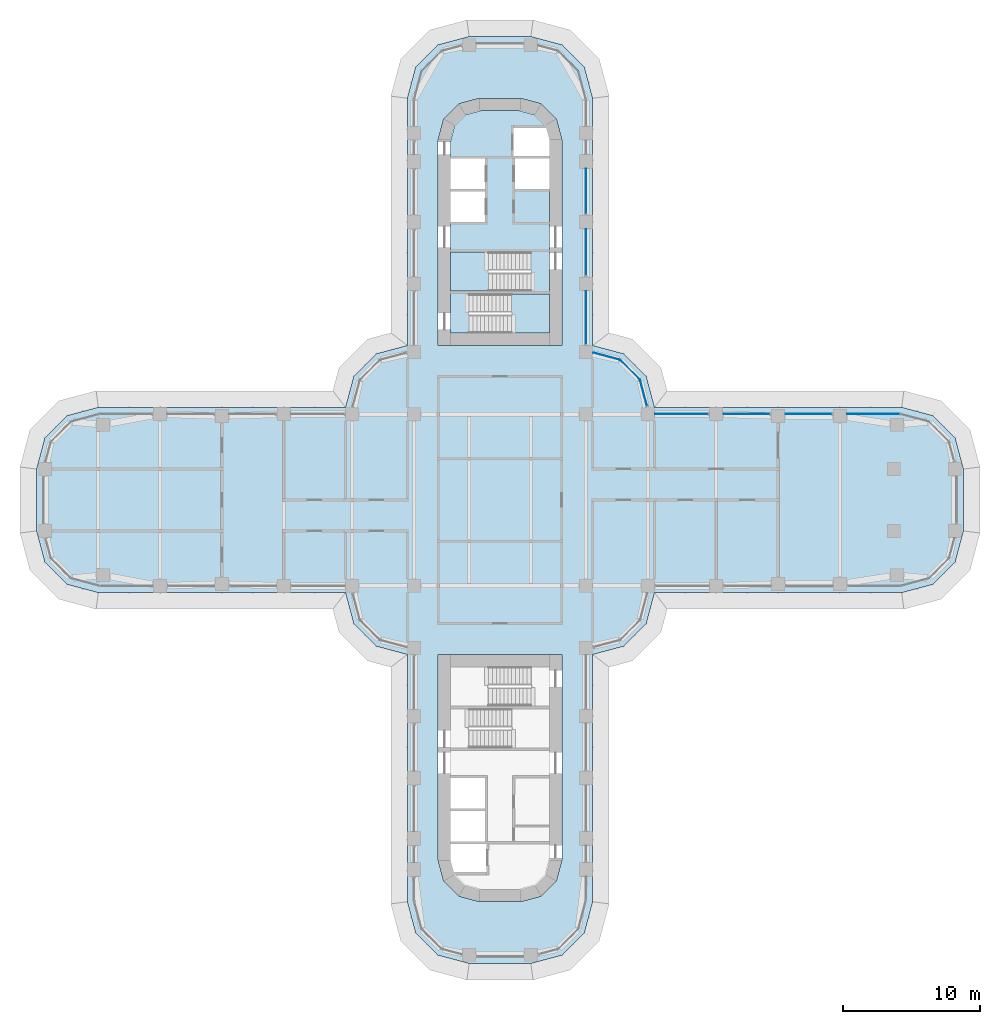
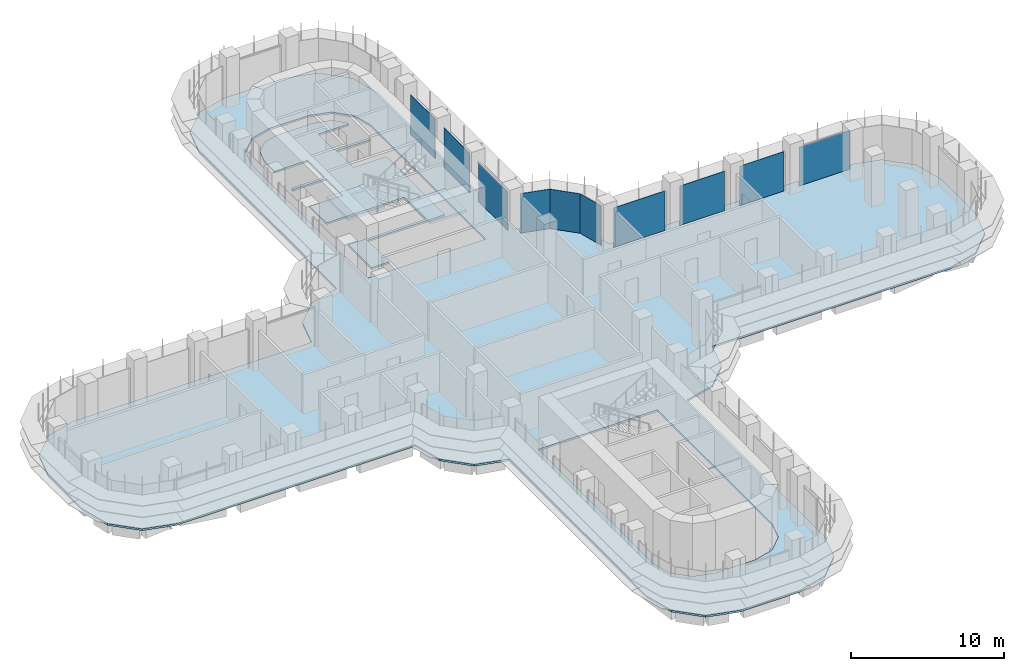
# One storey, part 15 of 23: 10 plates, 4 slabs, 7 elements without a shape of their own.
"""IFC4 building model written with IfcOpenShell, lengths in metres."""

from ifc_helpers import new_model, si_unit, direction, frame, origin, place, context, subcontext, project, spatial, polyline, outline, extrude, source, transform, mapped, material, layer, layer_set, type_object, element, aggregate, save


model = new_model("IFC4")

# Units and contexts
model_context = context("Model", 3, precision=1e-05, world=origin(), true_north=direction((0.0, 1.0)))
body_context = subcontext(model_context, "Body", "Model", "MODEL_VIEW")
ifc_project = project(units=[si_unit("LENGTHUNIT", "METRE"), si_unit("AREAUNIT", "SQUARE_METRE"), si_unit("VOLUMEUNIT", "CUBIC_METRE"), si_unit("PLANEANGLEUNIT", "RADIAN"), si_unit("MASSUNIT", "GRAM", prefix="KILO")], contexts=[model_context])

# Site, building, storey
site_placement = place(None, origin())
site = spatial("IfcSite", under=ifc_project, at=site_placement, CompositionType="ELEMENT")
building_placement = place(site_placement, origin())
building = spatial("IfcBuilding", under=site, at=building_placement, Name="Zarbagh Exchange Tower", CompositionType="ELEMENT")
storey_placement = place(building_placement, frame((0.0, 0.0, 35.39990234375)))
storey = spatial("IfcBuildingStorey", under=building, at=storey_placement, Name="L07", CompositionType="ELEMENT", Elevation=35.39990234375)

# Slabs
ifc_material_1 = material(Name="Concrete C40/50", Category="concrete")
ifc_layer_1 = layer(ifc_material_1, 0.14990234375)
ifc_layer_set_1 = layer_set([ifc_layer_1], Name="Composite floor slab 150 C40/50")
slab_type_1 = type_object("IfcSlabType", Name="Composite floor slab 150 C40/50", PredefinedType="FLOOR", material=ifc_layer_set_1)
slab_1_placement = place(storey_placement, frame((0.0, 0.0, -0.14990234375)))
element("IfcSlab", 1, at=slab_1_placement, inside=storey, type_object=slab_type_1, Name="S5 composite floor slab", PredefinedType="FLOOR", context=body_context, shape_type="SweptSolid", body=[
    extrude(outline(polyline([(-2.25, -33.75), (-4.5, -33.147216796875), (-6.147216796875, -31.5), (-6.75, -29.25), (-6.75, -11.25), (-9.0, -10.647216796875), (-10.647216796875, -9.0), (-11.25, -6.75), (-29.25, -6.75), (-31.5, -6.147216796875), (-33.147216796875, -4.5), (-33.75, -2.25), (-33.75, 2.25), (-33.147216796875, 4.5), (-31.5, 6.147216796875), (-29.25, 6.75), (-11.25, 6.75), (-10.647216796875, 9.0), (-9.0, 10.647216796875), (-6.75, 11.25), (-6.75, 29.25), (-6.147216796875, 31.5), (-4.5, 33.147216796875), (-2.25, 33.75), (2.25, 33.75), (4.5, 33.147216796875), (6.147216796875, 31.5), (6.75, 29.25), (6.75, 11.25), (9.0, 10.647216796875), (10.647216796875, 9.0), (11.25, 6.75), (29.25, 6.75), (31.5, 6.147216796875), (33.147216796875, 4.5), (33.75, 2.25), (33.75, -2.25), (33.147216796875, -4.5), (31.5, -6.147216796875), (29.25, -6.75), (11.25, -6.75), (10.647216796875, -9.0), (9.0, -10.647216796875), (6.75, -11.25), (6.75, -29.25), (6.147216796875, -31.5), (4.5, -33.147216796875), (2.25, -33.75), (-2.25, -33.75)]), holes=[polyline([(4.5, 11.25), (4.5, 26.25), (4.09814453125, 27.75), (3.0, 28.84814453125), (1.5, 29.25), (-1.5, 29.25), (-3.0, 28.84814453125), (-4.09814453125, 27.75), (-4.5, 26.25), (-4.5, 11.25), (4.5, 11.25)]), polyline([(-1.5, -29.25), (1.5, -29.25), (3.0, -28.84814453125), (4.09814453125, -27.75), (4.5, -26.25), (4.5, -11.25), (-4.5, -11.25), (-4.5, -26.25), (-4.09814453125, -27.75), (-3.0, -28.84814453125), (-1.5, -29.25)])]), origin(), (0.0, 0.0, 1.0), 0.14990234375),
])
ifc_layer_2 = layer(ifc_material_1, 0.14990234375)
ifc_layer_set_2 = layer_set([ifc_layer_2], Name="Core floor slab 150 C40/50")
slab_type_2 = type_object("IfcSlabType", Name="Core floor slab 150 C40/50", PredefinedType="FLOOR", material=ifc_layer_set_2)
slab_2_placement = place(storey_placement, frame((0.0, 0.0, -0.14990234375)))
element("IfcSlab", 2, at=slab_2_placement, inside=storey, type_object=slab_type_2, Name="S17 core N", PredefinedType="FLOOR", context=body_context, shape_type="SweptSolid", body=[
    extrude(outline(polyline([(-3.60009765625, 12.14990234375), (-3.60009765625, 15.199951171875), (2.25, 15.199951171875), (2.25, 18.050048828125), (-3.60009765625, 18.050048828125), (-3.60009765625, 20.25), (-1.10009765625, 20.25), (-1.10009765625, 22.449951171875), (-3.60009765625, 22.449951171875), (-3.60009765625, 22.64990234375), (-1.10009765625, 22.64990234375), (-1.10009765625, 24.85009765625), (-3.60009765625, 24.85009765625), (-3.60009765625, 26.131591796875), (-3.291259765625, 27.2841796875), (-2.5341796875, 28.041259765625), (-1.381591796875, 28.35009765625), (1.381591796875, 28.35009765625), (2.5341796875, 28.041259765625), (3.291259765625, 27.2841796875), (3.340576171875, 27.10009765625), (1.0, 27.10009765625), (1.0, 25.050048828125), (3.60009765625, 25.050048828125), (3.60009765625, 24.85009765625), (1.10009765625, 24.85009765625), (1.10009765625, 22.64990234375), (3.60009765625, 22.64990234375), (3.60009765625, 15.0), (-2.25, 15.0), (-2.25, 12.14990234375), (-3.60009765625, 12.14990234375)])), origin(), (0.0, 0.0, 1.0), 0.14990234375),
])

# Stair, slab
stair_type = type_object("IfcStairType", Name="Exit stair two-flight half-turn", PredefinedType="HALF_TURN_STAIR", material=ifc_material_1)
stair_1_placement = place(storey_placement, origin())
stair_1 = element("IfcStair", 3, at=stair_1_placement, inside=storey, type_object=stair_type, Name="exit stair ST1", PredefinedType="HALF_TURN_STAIR")
ifc_layer_3 = layer(ifc_material_1, 0.199951171875)
ifc_layer_set_3 = layer_set([ifc_layer_3], Name="Stair landing 200 mm")
slab_type_3 = type_object("IfcSlabType", Name="Stair landing 200 mm", PredefinedType="LANDING", material=ifc_layer_set_3)
slab_3_placement = place(storey_placement, frame((0.0, 0.0, 1.900146484375)))
slab_3 = element("IfcSlab", 4, at=slab_3_placement, type_object=slab_type_3, Name="ST1 landing 1", PredefinedType="LANDING", context=body_context, shape_type="SweptSolid", body=[
    extrude(outline(polyline([(-0.830078125, 18.050048828125), (-3.60009765625, 18.050048828125), (-3.60009765625, 15.199951171875), (-0.830078125, 15.199951171875), (-0.830078125, 18.050048828125)])), origin(), (0.0, 0.0, 1.0), 0.199951171875),
])
aggregate(stair_1, [slab_3])

stair_2_placement = place(storey_placement, origin())
stair_2 = element("IfcStair", 5, at=stair_2_placement, inside=storey, type_object=stair_type, Name="exit stair ST2", PredefinedType="HALF_TURN_STAIR")
slab_4_placement = place(storey_placement, frame((0.0, 0.0, 1.900146484375)))
slab_4 = element("IfcSlab", 6, at=slab_4_placement, type_object=slab_type_3, Name="ST2 landing 1", PredefinedType="LANDING", context=body_context, shape_type="SweptSolid", body=[
    extrude(outline(polyline([(0.830078125, 12.14990234375), (3.60009765625, 12.14990234375), (3.60009765625, 15.0), (0.830078125, 15.0), (0.830078125, 12.14990234375)])), origin(), (0.0, 0.0, 1.0), 0.199951171875),
])
aggregate(stair_2, [slab_4])

# Curtain wall, plate
ifc_material_2 = material(Name="Anodised aluminium frame and glazing", Category="aluminium")
curtain_wall_type = type_object("IfcCurtainWallType", Name="CWA Ribbon glazing, lower zones", PredefinedType="NOTDEFINED", material=ifc_material_2)
curtain_wall_1_placement = place(storey_placement, origin())
curtain_wall_1 = element("IfcCurtainWall", 7, at=curtain_wall_1_placement, inside=storey, type_object=curtain_wall_type, Name="CWA18 curtain wall", PredefinedType="NOTDEFINED")
ifc_material_3 = material(Name="Low-e double glazed unit, 6+12+6 mm")
ifc_layer_4 = layer(ifc_material_3, 0.028076171875)
ifc_layer_set_4 = layer_set([ifc_layer_4], Name="PAA Glazing panel, Low-e double glazed unit, 6+12+6 mm")
plate_type = type_object("IfcPlateType", Name="PAA Glazing panel, Low-e double glazed unit, 6+12+6 mm", PredefinedType="CURTAIN_PANEL", material=ifc_layer_set_4)
shared_shape_1 = source(origin(), body_context, "Body", "SweptSolid", [
    extrude(outline(polyline([(0.0, -0.013916015625), (2.061279296875, -0.013916015625), (2.061279296875, 0.013916015625), (0.0, 0.013916015625), (0.0, -0.013916015625)])), origin(), (0.0, 0.0, 1.0), 3.14990234375),
])
placement = place(storey_placement, origin())
plate_1 = element("IfcPlate", 8, at=placement, type_object=plate_type, Name="CWA18 glazing panel 1.1", PredefinedType="CURTAIN_PANEL", context=body_context, shape_type="MappedRepresentation", body=[
    mapped(shared_shape_1, transform((10.19873046875, 8.7412109375, 0.0), x_axis=(-0.707106781187, 0.707106781187, 0.0), y_axis=(-0.707106781187, -0.707106781187, 0.0), z_axis=(0.0, 0.0, 1.0))),
])
aggregate(curtain_wall_1, [plate_1])

curtain_wall_2_placement = place(storey_placement, origin())
curtain_wall_2 = element("IfcCurtainWall", 9, at=curtain_wall_2_placement, inside=storey, type_object=curtain_wall_type, Name="CWA20 curtain wall", PredefinedType="NOTDEFINED")
shared_shape_2 = source(origin(), body_context, "Body", "SweptSolid", [
    extrude(outline(polyline([(0.0, -0.013916015625), (3.260009765625, -0.013916015625), (3.260009765625, 0.013916015625), (0.0, 0.013916015625), (0.0, -0.013916015625)])), origin(), (0.0, 0.0, 1.0), 3.14990234375),
])
plate_2 = element("IfcPlate", 10, at=placement, type_object=plate_type, Name="CWA20 glazing panel 3.1", PredefinedType="CURTAIN_PANEL", context=body_context, shape_type="MappedRepresentation", body=[
    mapped(shared_shape_2, transform((6.25, 20.85009765625, 0.0), x_axis=(0.0, 1.0, 0.0), y_axis=(-1.0, 0.0, 0.0), z_axis=(0.0, 0.0, 1.0))),
])

# Curtain wall, plates
curtain_wall_3_placement = place(storey_placement, origin())
curtain_wall_3 = element("IfcCurtainWall", 11, at=curtain_wall_3_placement, inside=storey, type_object=curtain_wall_type, Name="CWA16 curtain wall", PredefinedType="NOTDEFINED")
shared_shape_3 = source(origin(), body_context, "Body", "SweptSolid", [
    extrude(outline(polyline([(0.0, -0.013916015625), (3.360107421875, -0.013916015625), (3.360107421875, 0.013916015625), (0.0, 0.013916015625), (0.0, -0.013916015625)])), origin(), (0.0, 0.0, 1.0), 3.14990234375),
])
plate_3 = element("IfcPlate", 12, at=placement, type_object=plate_type, Name="CWA16 glazing panel 2.1", PredefinedType="CURTAIN_PANEL", context=body_context, shape_type="MappedRepresentation", body=[
    mapped(shared_shape_3, transform((24.14990234375, 6.25, 0.0), x_axis=(-1.0, 0.0, 0.0), y_axis=(0.0, -1.0, 0.0), z_axis=(0.0, 0.0, 1.0))),
])
plate_4 = element("IfcPlate", 13, at=placement, type_object=plate_type, Name="CWA16 glazing panel 3.1", PredefinedType="CURTAIN_PANEL", context=body_context, shape_type="MappedRepresentation", body=[
    mapped(shared_shape_3, transform((19.64990234375, 6.25, 0.0), x_axis=(-1.0, 0.0, 0.0), y_axis=(0.0, -1.0, 0.0), z_axis=(0.0, 0.0, 1.0))),
])

# Plate
plate_5 = element("IfcPlate", 14, at=placement, type_object=plate_type, Name="CWA20 glazing panel 2.1", PredefinedType="CURTAIN_PANEL", context=body_context, shape_type="MappedRepresentation", body=[
    mapped(shared_shape_3, transform((6.25, 16.35009765625, 0.0), x_axis=(0.0, 1.0, 0.0), y_axis=(-1.0, 0.0, 0.0), z_axis=(0.0, 0.0, 1.0))),
])

# Curtain wall, plate
curtain_wall_4_placement = place(storey_placement, origin())
curtain_wall_4 = element("IfcCurtainWall", 15, at=curtain_wall_4_placement, inside=storey, type_object=curtain_wall_type, Name="CWA17 curtain wall", PredefinedType="NOTDEFINED")
shared_shape_4 = source(origin(), body_context, "Body", "SweptSolid", [
    extrude(outline(polyline([(0.0, -0.013916015625), (1.9599609375, -0.013916015625), (1.9599609375, 0.013916015625), (0.0, 0.013916015625), (0.0, -0.013916015625)])), origin(), (0.0, 0.0, 1.0), 3.14990234375),
])
plate_6 = element("IfcPlate", 16, at=placement, type_object=plate_type, Name="CWA17 glazing panel 1.1", PredefinedType="CURTAIN_PANEL", context=body_context, shape_type="MappedRepresentation", body=[
    mapped(shared_shape_4, transform((10.7060546875, 6.847900390625, 0.0), x_axis=(-0.258824779902, 0.965924289636, 0.0), y_axis=(-0.965924289636, -0.258824779902, 0.0), z_axis=(0.0, 0.0, 1.0))),
])
aggregate(curtain_wall_4, [plate_6])

curtain_wall_5_placement = place(storey_placement, origin())
curtain_wall_5 = element("IfcCurtainWall", 17, at=curtain_wall_5_placement, inside=storey, type_object=curtain_wall_type, Name="CWA19 curtain wall", PredefinedType="NOTDEFINED")
shared_shape_5 = source(origin(), body_context, "Body", "SweptSolid", [
    extrude(outline(polyline([(0.0, -0.013916015625), (2.02001953125, -0.013916015625), (2.02001953125, 0.013916015625), (0.0, 0.013916015625), (0.0, -0.013916015625)])), origin(), (0.0, 0.0, 1.0), 3.14990234375),
])
plate_7 = element("IfcPlate", 18, at=placement, type_object=plate_type, Name="CWA19 glazing panel 1.1", PredefinedType="CURTAIN_PANEL", context=body_context, shape_type="MappedRepresentation", body=[
    mapped(shared_shape_5, transform((8.7412109375, 10.19873046875, 0.0), x_axis=(-0.965924289636, 0.258824779902, 0.0), y_axis=(-0.258824779902, -0.965924289636, 0.0), z_axis=(0.0, 0.0, 1.0))),
])
aggregate(curtain_wall_5, [plate_7])

# Plate
shared_shape_6 = source(origin(), body_context, "Body", "SweptSolid", [
    extrude(outline(polyline([(0.0, -0.013916015625), (3.860107421875, -0.013916015625), (3.860107421875, 0.013916015625), (0.0, 0.013916015625), (0.0, -0.013916015625)])), origin(), (0.0, 0.0, 1.0), 3.090087890625),
])
plate_8 = element("IfcPlate", 19, at=placement, type_object=plate_type, Name="CWA20 glazing panel 1.1", PredefinedType="CURTAIN_PANEL", context=body_context, shape_type="MappedRepresentation", body=[
    mapped(shared_shape_6, transform((6.25, 11.35009765625, 0.0), x_axis=(0.0, 1.0, 0.0), y_axis=(-1.0, 0.0, 0.0), z_axis=(0.0, 0.0, 1.0))),
])

aggregate(curtain_wall_2, [plate_8, plate_5, plate_2])

shared_shape_7 = source(origin(), body_context, "Body", "SweptSolid", [
    extrude(outline(polyline([(0.0, -0.013916015625), (3.834228515625, -0.013916015625), (3.834228515625, 0.013916015625), (0.0, 0.013916015625), (0.0, -0.013916015625)])), origin(), (0.0, 0.0, 1.0), 3.090087890625),
])
plate_9 = element("IfcPlate", 20, at=placement, type_object=plate_type, Name="CWA16 glazing panel 1.1", PredefinedType="CURTAIN_PANEL", context=body_context, shape_type="MappedRepresentation", body=[
    mapped(shared_shape_7, transform((29.124267578125, 6.25, 0.0), x_axis=(-1.0, 0.0, 0.0), y_axis=(0.0, -1.0, 0.0), z_axis=(0.0, 0.0, 1.0))),
])

shared_shape_8 = source(origin(), body_context, "Body", "SweptSolid", [
    extrude(outline(polyline([(0.0, -0.013916015625), (3.860107421875, -0.013916015625), (3.860107421875, 0.013916015625), (0.0, 0.013916015625), (0.0, -0.013916015625)])), origin(), (0.0, 0.0, 1.0), 3.14990234375),
])
plate_10 = element("IfcPlate", 21, at=placement, type_object=plate_type, Name="CWA16 glazing panel 4.1", PredefinedType="CURTAIN_PANEL", context=body_context, shape_type="MappedRepresentation", body=[
    mapped(shared_shape_8, transform((15.14990234375, 6.25, 0.0), x_axis=(-1.0, 0.0, 0.0), y_axis=(0.0, -1.0, 0.0), z_axis=(0.0, 0.0, 1.0))),
])

aggregate(curtain_wall_3, [plate_9, plate_3, plate_4, plate_10])

save(model, "model.ifc")
